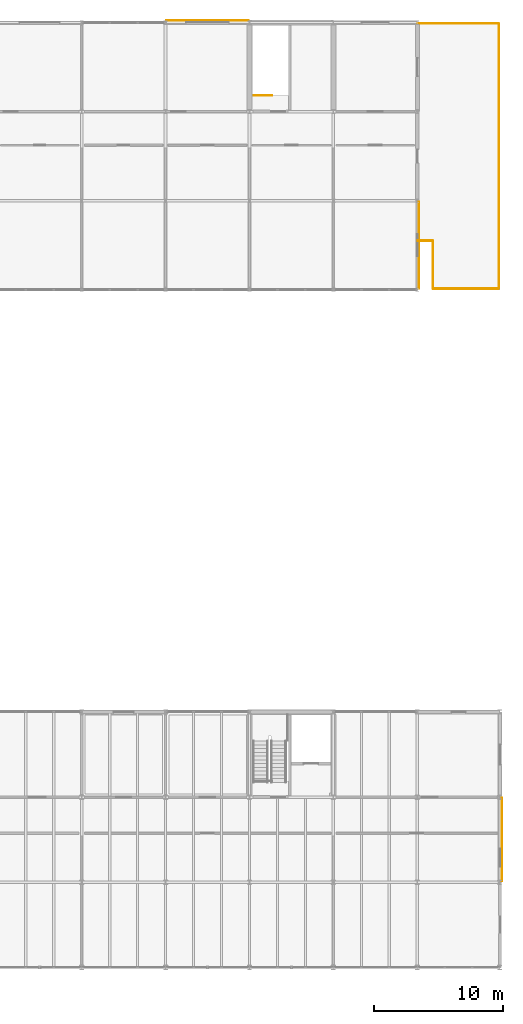
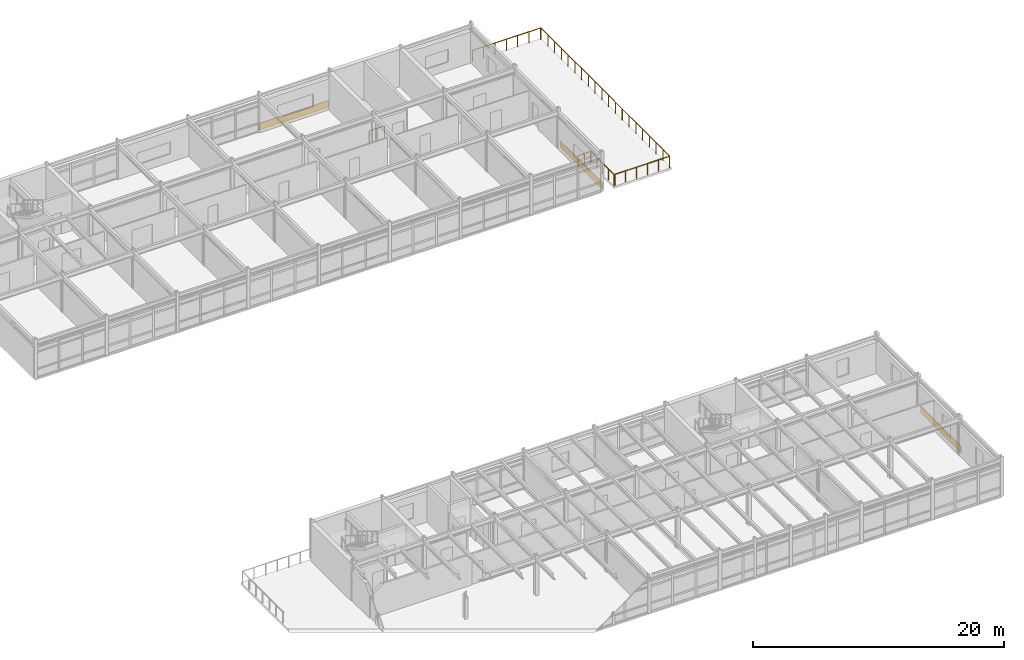
# One storey, part 57 of 57: 6 railings, 3 coverings.
"""IFC4 building model written with IfcOpenShell, lengths in metres."""

import ifcopenshell
import ifcopenshell.guid

model = None  # the IFC model being written
_history = None  # IfcOwnerHistory: only IFC2X3 demands one
_inside = {}  # id of a spatial element -> (the spatial element, [elements in it])
_under = {}  # id of a project, library or spatial element -> (it, [spatial elements below it])
_declared = {}  # id of a project -> (the project, [libraries it declares])
_typed = {}  # id of a type object -> (the type object, [elements of that type])
_made_of = {}  # id of a material, layer set ... -> (it, [elements and type objects made of it])


def new_model(schema):
    """Start an empty IFC model of exactly this schema.

    Asked for "IFC4X3", IfcOpenShell would pick the latest addendum, in which some entities
    have other attributes; the version numbers below select the first issue.
    IFC2X3 requires an IfcOwnerHistory on every rooted entity: one is made here for all.
    """
    global model, _history
    if schema == "IFC4X3":
        model = ifcopenshell.file(schema_version=(4, 3, 0, 0))
    else:
        model = ifcopenshell.file(schema=schema)
    _inside.clear()
    _under.clear()
    _declared.clear()
    _typed.clear()
    _made_of.clear()
    _history = None
    if model.schema == "IFC2X3":
        org = make("IfcOrganization", Name="unknown")
        user = make(
            "IfcPersonAndOrganization",
            ThePerson=make("IfcPerson", FamilyName="unknown"),
            TheOrganization=org,
        )
        app = make(
            "IfcApplication",
            ApplicationDeveloper=org,
            Version="unknown",
            ApplicationFullName="unknown",
            ApplicationIdentifier="unknown",
        )
        _history = make(
            "IfcOwnerHistory",
            OwningUser=user,
            OwningApplication=app,
            ChangeAction="ADDED",
            CreationDate=0,
        )
    return model


def make(cls, **values):
    """One entity of the class cls with the attributes given. An attribute that is None is left unset."""
    return model.create_entity(
        cls, **{name: value for name, value in values.items() if value is not None}
    )


def rooted(cls, **values):
    """An entity with a GlobalId (a new one), such as an element, a storey or a relation."""
    return make(cls, GlobalId=ifcopenshell.guid.new(), OwnerHistory=_history, **values)


def si_unit(unit_type, name, prefix=None):
    """IfcSIUnit, for example si_unit("LENGTHUNIT", "METRE", prefix="MILLI")."""
    return make("IfcSIUnit", UnitType=unit_type, Prefix=prefix, Name=name)


def assignment(units):
    """IfcUnitAssignment: the units of a project."""
    return None if units is None else make("IfcUnitAssignment", Units=units)


def point(xyz):
    """IfcCartesianPoint."""
    return None if xyz is None else make("IfcCartesianPoint", Coordinates=xyz)


def direction(xyz):
    """IfcDirection."""
    return None if xyz is None else make("IfcDirection", DirectionRatios=xyz)


def frame(location, z_axis=None, x_axis=None):
    """IfcAxis2Placement3D, a coordinate frame: its origin and axes. An axis left out is left unset."""
    return make(
        "IfcAxis2Placement3D",
        Location=point(location),
        Axis=direction(z_axis),
        RefDirection=direction(x_axis),
    )


def frame_2d(location, x_axis=None):
    """IfcAxis2Placement2D, a coordinate frame in the plane: its origin and x axis."""
    return make(
        "IfcAxis2Placement2D", Location=point(location), RefDirection=direction(x_axis)
    )


def origin():
    """The frame at (0, 0, 0) with its axes left unset."""
    return frame((0.0, 0.0, 0.0))


def origin_2d():
    """The frame at (0, 0) in the plane with its x axis left unset."""
    return frame_2d((0.0, 0.0))


def place(relative_to, where):
    """IfcLocalPlacement: puts the frame where relative to a parent placement (None: the world)."""
    return make(
        "IfcLocalPlacement", PlacementRelTo=relative_to, RelativePlacement=where
    )


def context(
    kind, dimensions, precision=None, world=None, true_north=None, identifier=None
):
    """IfcGeometricRepresentationContext, for example the 3D "Model" context."""
    return make(
        "IfcGeometricRepresentationContext",
        ContextIdentifier=identifier,
        ContextType=kind,
        CoordinateSpaceDimension=dimensions,
        Precision=precision,
        WorldCoordinateSystem=world,
        TrueNorth=true_north,
    )


def subcontext(parent, identifier, kind, view, scale=None):
    """IfcGeometricRepresentationSubContext, for example "Body" below "Model"."""
    return make(
        "IfcGeometricRepresentationSubContext",
        ContextIdentifier=identifier,
        ContextType=kind,
        ParentContext=parent,
        TargetScale=scale,
        TargetView=view,
    )


def project(units=None, contexts=None):
    """IfcProject with its units and contexts."""
    return rooted(
        "IfcProject",
        Name="project",
        RepresentationContexts=contexts,
        UnitsInContext=assignment(units),
    )


def spatial(cls, under=None, at=None, **own):
    """A site, building, storey or space (cls), placed at a placement, below another one or the project."""
    s = rooted(cls, ObjectPlacement=at, **own)
    if under is not None:
        _under.setdefault(under.id(), (under, []))[1].append(s)
    return s


def profile(cls, at=None, kind="AREA", **sizes):
    """A parametric profile (cls). Its sizes go by their IFC names, for example OverallWidth=200.0."""
    return make(cls, ProfileType=kind, Position=at, **sizes)


def rectangle(**sizes):
    """IfcRectangleProfileDef."""
    return profile("IfcRectangleProfileDef", **sizes)


def circle(**sizes):
    """IfcCircleProfileDef."""
    return profile("IfcCircleProfileDef", **sizes)


def extrude(swept, where, along, depth):
    """IfcExtrudedAreaSolid: the profile swept, set in the frame where, extruded along a direction by depth."""
    return make(
        "IfcExtrudedAreaSolid",
        SweptArea=swept,
        Position=where,
        ExtrudedDirection=direction(along),
        Depth=depth,
    )


def shape(context_of_items, identifier, shape_type, items):
    """IfcShapeRepresentation: the items that make up one representation, for example the "Body"."""
    return make(
        "IfcShapeRepresentation",
        ContextOfItems=context_of_items,
        RepresentationIdentifier=identifier,
        RepresentationType=shape_type,
        Items=items,
    )


def material(Name=None, Category=None):
    """IfcMaterial."""
    return make("IfcMaterial", Name=Name, Category=Category)


def layer(
    of_material, thickness, ventilated=None, Name=None, Category=None, Priority=None
):
    """IfcMaterialLayer: one layer of a wall or slab, of a material (None: an air gap)."""
    return make(
        "IfcMaterialLayer",
        Material=of_material,
        LayerThickness=thickness,
        IsVentilated=ventilated,
        Name=Name,
        Category=Category,
        Priority=Priority,
    )


def layer_set(layers, Name=None):
    """IfcMaterialLayerSet."""
    return make("IfcMaterialLayerSet", MaterialLayers=layers, LayerSetName=Name)


def made_of(thing, what):
    """Note that an element or type object is made of a material, layer set ...; save() writes the relation."""
    if what is not None:
        _made_of.setdefault(what.id(), (what, []))[1].append(thing)
    return thing


def type_object(cls, material=None, **own):
    """A type object (cls), such as IfcWallType, which elements share."""
    return made_of(rooted(cls, **own), material)


def element(
    cls,
    number,
    at=None,
    inside=None,
    cuts=None,
    type_object=None,
    material=None,
    context=None,
    identifier="Body",
    shape_type=None,
    held_by="IfcProductDefinitionShape",
    body=None,
    shapes=None,
    **own,
):
    """One element of the class cls, such as IfcWall. Its Tag is "e" and its number.

    at: its placement. inside: the storey or other place that contains it. cuts: it is an
    opening in that element (IfcRelVoidsElement). A single representation is given by context,
    identifier, shape_type and body (its items); several are given by shapes. held_by: the class
    of the entity that holds the representations. save() writes the other relations.
    """
    e = rooted(cls, Tag="e%d" % number, ObjectPlacement=at, **own)
    if body is not None:
        shapes = [shape(context, identifier, shape_type, body)]
    if shapes is not None:
        e.Representation = make(held_by, Representations=shapes)
    if inside is not None:
        _inside.setdefault(inside.id(), (inside, []))[1].append(e)
    if cuts is not None:
        rooted(
            "IfcRelVoidsElement", RelatingBuildingElement=cuts, RelatedOpeningElement=e
        )
    if type_object is not None:
        _typed.setdefault(type_object.id(), (type_object, []))[1].append(e)
    return made_of(e, material)


def aggregate(whole, parts):
    """IfcRelAggregates: a whole, such as a stair, and the parts it consists of."""
    return rooted("IfcRelAggregates", RelatingObject=whole, RelatedObjects=parts)


def save(model, path):
    """Write the relations noted so far, then the file.

    IfcRelAggregates (storeys below a building ...), IfcRelContainedInSpatialStructure (elements
    in a storey), IfcRelDefinesByType, IfcRelAssociatesMaterial and IfcRelDeclares: one each for
    every whole, place, type object, material and project.
    """
    for whole, parts in _under.values():
        aggregate(whole, parts)
    for where, things in _inside.values():
        rooted(
            "IfcRelContainedInSpatialStructure",
            RelatedElements=things,
            RelatingStructure=where,
        )
    for kind, things in _typed.values():
        rooted("IfcRelDefinesByType", RelatedObjects=things, RelatingType=kind)
    for what, things in _made_of.values():
        rooted("IfcRelAssociatesMaterial", RelatedObjects=things, RelatingMaterial=what)
    for by, libraries in _declared.values():
        rooted("IfcRelDeclares", RelatingContext=by, RelatedDefinitions=libraries)
    model.write(path)


model = new_model("IFC4")

# Units and contexts
model_context = context("Model", 3, precision=1e-05, world=origin(), true_north=direction((0.0, 1.0)))
body_context = subcontext(model_context, "Body", "Model", "MODEL_VIEW")
ifc_project = project(units=[si_unit("LENGTHUNIT", "METRE"), si_unit("AREAUNIT", "SQUARE_METRE"), si_unit("VOLUMEUNIT", "CUBIC_METRE"), si_unit("PLANEANGLEUNIT", "RADIAN"), si_unit("MASSUNIT", "GRAM", prefix="KILO")], contexts=[model_context])

# Site, building, storey
site_placement = place(None, origin())
site = spatial("IfcSite", under=ifc_project, at=site_placement, CompositionType="ELEMENT")
building_placement = place(site_placement, origin())
building = spatial("IfcBuilding", under=site, at=building_placement, Name="Trelmorton Wharf Fire Station", CompositionType="ELEMENT")
storey_placement = place(building_placement, frame((0.0, 0.0, 13.5)))
storey = spatial("IfcBuildingStorey", under=building, at=storey_placement, Name="L03", CompositionType="ELEMENT", Elevation=13.5)

# Coverings
ifc_material_1 = material(Name="Architectural terracotta cladding", Category="masonry")
ifc_layer = layer(ifc_material_1, 0.044921875)
ifc_layer_set = layer_set([ifc_layer], Name="Architectural terracotta cladding")
covering_type = type_object("IfcCoveringType", Name="CV_CLAD_TER", PredefinedType="CLADDING", material=ifc_layer_set)
covering_1_placement = place(storey_placement, frame((162.56494140625, 17.699951171875, 0.0302734375), z_axis=(0.0, 0.0, 1.0), x_axis=(0.0, -1.0, 0.0)))
element("IfcCovering", 1, at=covering_1_placement, inside=storey, type_object=covering_type, Name="CV-TER-0016", PredefinedType="CLADDING", context=body_context, shape_type="SweptSolid", body=[
    extrude(rectangle(XDim=6.469970703125, YDim=0.044921875, at=origin_2d()), origin(), (0.0, 0.0, 1.0), 0.659912109375),
])
covering_2_placement = place(storey_placement, frame((139.75, 81.1650390625, 0.0302734375), z_axis=(0.0, 0.0, 1.0), x_axis=(1.0, 0.0, 0.0)))
element("IfcCovering", 2, at=covering_2_placement, inside=storey, type_object=covering_type, Name="CV-TER-0044", PredefinedType="CLADDING", context=body_context, shape_type="SweptSolid", body=[
    extrude(rectangle(XDim=6.3701171875, YDim=0.044921875, at=origin_2d()), origin(), (0.0, 0.0, 1.0), 0.659912109375),
])
covering_3_placement = place(storey_placement, frame((156.135009765625, 63.75, 0.0302734375), z_axis=(0.0, 0.0, 1.0), x_axis=(0.0, -1.0, 0.0)))
element("IfcCovering", 3, at=covering_3_placement, inside=storey, type_object=covering_type, Name="CV-TER-0045", PredefinedType="CLADDING", context=body_context, shape_type="SweptSolid", body=[
    extrude(rectangle(XDim=6.77001953125, YDim=0.044921875, at=origin_2d()), origin(), (0.0, 0.0, 1.0), 0.659912109375),
])

# Railings
ifc_material_2 = material(Name="Stainless steel 316 marine grade", Category="steel")
railing_type_1 = type_object("IfcRailingType", Name="RL_BAL_TERR", PredefinedType="BALUSTRADE", material=ifc_material_2)
railing_1_placement = place(storey_placement, frame((156.0400390625, 64.10009765625, 0.0)))
element("IfcRailing", 4, at=railing_1_placement, inside=storey, type_object=railing_type_1, Name="RL-DECK-L03-081", PredefinedType="BALUSTRADE", context=body_context, shape_type="SweptSolid", body=[
    extrude(circle(Radius=0.02392578125, at=origin_2d()), frame((0.0, 0.0, 1.09619140625), z_axis=(1.0, 0.0, 0.0), x_axis=(0.0, 1.0, 0.0)), (0.0, 0.0, 1.0), 1.139892578125),
    extrude(circle(Radius=0.02099609375, at=origin_2d()), origin(), (0.0, 0.0, 1.0), 1.072021484375),
    extrude(circle(Radius=0.02099609375, at=origin_2d()), frame((0.56982421875, 0.0, 0.0)), (0.0, 0.0, 1.0), 1.072021484375),
    extrude(circle(Radius=0.02099609375, at=origin_2d()), frame((1.139892578125, 0.0, 0.0)), (0.0, 0.0, 1.0), 1.072021484375),
])
railing_2_placement = place(storey_placement, frame((157.219970703125, 64.06005859375, 0.0)))
element("IfcRailing", 5, at=railing_2_placement, inside=storey, type_object=railing_type_1, Name="RL-DECK-L03-082", PredefinedType="BALUSTRADE", context=body_context, shape_type="SweptSolid", body=[
    extrude(circle(Radius=0.02392578125, at=origin_2d()), frame((0.0, 0.0, 1.09619140625), z_axis=(0.0, -1.0, 0.0), x_axis=(1.0, 0.0, 0.0)), (0.0, 0.0, 1.0), 3.64013671875),
    extrude(circle(Radius=0.02099609375, at=origin_2d()), origin(), (0.0, 0.0, 1.0), 1.072021484375),
    extrude(circle(Radius=0.02099609375, at=origin_2d()), frame((0.0, -0.91015625, 0.0)), (0.0, 0.0, 1.0), 1.072021484375),
    extrude(circle(Radius=0.02099609375, at=origin_2d()), frame((0.0, -1.820068359375, 0.0)), (0.0, 0.0, 1.0), 1.072021484375),
    extrude(circle(Radius=0.02099609375, at=origin_2d()), frame((0.0, -2.72998046875, 0.0)), (0.0, 0.0, 1.0), 1.072021484375),
    extrude(circle(Radius=0.02099609375, at=origin_2d()), frame((0.0, -3.64013671875, 0.0)), (0.0, 0.0, 1.0), 1.072021484375),
])
railing_3_placement = place(storey_placement, frame((157.260009765625, 60.3798828125, 0.0)))
element("IfcRailing", 6, at=railing_3_placement, inside=storey, type_object=railing_type_1, Name="RL-DECK-L03-083", PredefinedType="BALUSTRADE", context=body_context, shape_type="SweptSolid", body=[
    extrude(circle(Radius=0.02392578125, at=origin_2d()), frame((0.0, 0.0, 1.09619140625), z_axis=(1.0, 0.0, 0.0), x_axis=(0.0, 1.0, 0.0)), (0.0, 0.0, 1.0), 5.02001953125),
    extrude(circle(Radius=0.02099609375, at=origin_2d()), origin(), (0.0, 0.0, 1.0), 1.072021484375),
    extrude(circle(Radius=0.02099609375, at=origin_2d()), frame((1.00390625, 0.0, 0.0)), (0.0, 0.0, 1.0), 1.072021484375),
    extrude(circle(Radius=0.02099609375, at=origin_2d()), frame((2.008056640625, 0.0, 0.0)), (0.0, 0.0, 1.0), 1.072021484375),
    extrude(circle(Radius=0.02099609375, at=origin_2d()), frame((3.011962890625, 0.0, 0.0)), (0.0, 0.0, 1.0), 1.072021484375),
    extrude(circle(Radius=0.02099609375, at=origin_2d()), frame((4.01611328125, 0.0, 0.0)), (0.0, 0.0, 1.0), 1.072021484375),
    extrude(circle(Radius=0.02099609375, at=origin_2d()), frame((5.02001953125, 0.0, 0.0)), (0.0, 0.0, 1.0), 1.072021484375),
])
railing_4_placement = place(storey_placement, frame((162.320068359375, 60.419921875, 0.0)))
element("IfcRailing", 7, at=railing_4_placement, inside=storey, type_object=railing_type_1, Name="RL-DECK-L03-084", PredefinedType="BALUSTRADE", context=body_context, shape_type="SweptSolid", body=[
    extrude(circle(Radius=0.02392578125, at=origin_2d()), frame((0.0, 0.0, 1.09619140625), z_axis=(0.0, 1.0, 0.0), x_axis=(-1.0, 0.0, 0.0)), (0.0, 0.0, 1.0), 20.4599609375),
    extrude(circle(Radius=0.02099609375, at=origin_2d()), origin(), (0.0, 0.0, 1.0), 1.072021484375),
    extrude(circle(Radius=0.02099609375, at=origin_2d()), frame((0.0, 1.076904296875, 0.0)), (0.0, 0.0, 1.0), 1.072021484375),
    extrude(circle(Radius=0.02099609375, at=origin_2d()), frame((0.0, 2.153564453125, 0.0)), (0.0, 0.0, 1.0), 1.072021484375),
    extrude(circle(Radius=0.02099609375, at=origin_2d()), frame((0.0, 3.23046875, 0.0)), (0.0, 0.0, 1.0), 1.072021484375),
    extrude(circle(Radius=0.02099609375, at=origin_2d()), frame((0.0, 4.307373046875, 0.0)), (0.0, 0.0, 1.0), 1.072021484375),
    extrude(circle(Radius=0.02099609375, at=origin_2d()), frame((0.0, 5.38427734375, 0.0)), (0.0, 0.0, 1.0), 1.072021484375),
    extrude(circle(Radius=0.02099609375, at=origin_2d()), frame((0.0, 6.4609375, 0.0)), (0.0, 0.0, 1.0), 1.072021484375),
    extrude(circle(Radius=0.02099609375, at=origin_2d()), frame((0.0, 7.537841796875, 0.0)), (0.0, 0.0, 1.0), 1.072021484375),
    extrude(circle(Radius=0.02099609375, at=origin_2d()), frame((0.0, 8.61474609375, 0.0)), (0.0, 0.0, 1.0), 1.072021484375),
    extrude(circle(Radius=0.02099609375, at=origin_2d()), frame((0.0, 9.691650390625, 0.0)), (0.0, 0.0, 1.0), 1.072021484375),
    extrude(circle(Radius=0.02099609375, at=origin_2d()), frame((0.0, 10.768310546875, 0.0)), (0.0, 0.0, 1.0), 1.072021484375),
    extrude(circle(Radius=0.02099609375, at=origin_2d()), frame((0.0, 11.84521484375, 0.0)), (0.0, 0.0, 1.0), 1.072021484375),
    extrude(circle(Radius=0.02099609375, at=origin_2d()), frame((0.0, 12.922119140625, 0.0)), (0.0, 0.0, 1.0), 1.072021484375),
    extrude(circle(Radius=0.02099609375, at=origin_2d()), frame((0.0, 13.9990234375, 0.0)), (0.0, 0.0, 1.0), 1.072021484375),
    extrude(circle(Radius=0.02099609375, at=origin_2d()), frame((0.0, 15.07568359375, 0.0)), (0.0, 0.0, 1.0), 1.072021484375),
    extrude(circle(Radius=0.02099609375, at=origin_2d()), frame((0.0, 16.152587890625, 0.0)), (0.0, 0.0, 1.0), 1.072021484375),
    extrude(circle(Radius=0.02099609375, at=origin_2d()), frame((0.0, 17.2294921875, 0.0)), (0.0, 0.0, 1.0), 1.072021484375),
    extrude(circle(Radius=0.02099609375, at=origin_2d()), frame((0.0, 18.306396484375, 0.0)), (0.0, 0.0, 1.0), 1.072021484375),
    extrude(circle(Radius=0.02099609375, at=origin_2d()), frame((0.0, 19.383056640625, 0.0)), (0.0, 0.0, 1.0), 1.072021484375),
    extrude(circle(Radius=0.02099609375, at=origin_2d()), frame((0.0, 20.4599609375, 0.0)), (0.0, 0.0, 1.0), 1.072021484375),
])
railing_5_placement = place(storey_placement, frame((162.280029296875, 80.919921875, 0.0)))
element("IfcRailing", 8, at=railing_5_placement, inside=storey, type_object=railing_type_1, Name="RL-DECK-L03-085", PredefinedType="BALUSTRADE", context=body_context, shape_type="SweptSolid", body=[
    extrude(circle(Radius=0.02392578125, at=origin_2d()), frame((0.0, 0.0, 1.09619140625), z_axis=(-1.0, 0.0, 0.0), x_axis=(0.0, -1.0, 0.0)), (0.0, 0.0, 1.0), 6.239990234375),
    extrude(circle(Radius=0.02099609375, at=origin_2d()), origin(), (0.0, 0.0, 1.0), 1.072021484375),
    extrude(circle(Radius=0.02099609375, at=origin_2d()), frame((-1.0400390625, 0.0, 0.0)), (0.0, 0.0, 1.0), 1.072021484375),
    extrude(circle(Radius=0.02099609375, at=origin_2d()), frame((-2.080078125, 0.0, 0.0)), (0.0, 0.0, 1.0), 1.072021484375),
    extrude(circle(Radius=0.02099609375, at=origin_2d()), frame((-3.1201171875, 0.0, 0.0)), (0.0, 0.0, 1.0), 1.072021484375),
    extrude(circle(Radius=0.02099609375, at=origin_2d()), frame((-4.159912109375, 0.0, 0.0)), (0.0, 0.0, 1.0), 1.072021484375),
    extrude(circle(Radius=0.02099609375, at=origin_2d()), frame((-5.199951171875, 0.0, 0.0)), (0.0, 0.0, 1.0), 1.072021484375),
    extrude(circle(Radius=0.02099609375, at=origin_2d()), frame((-6.239990234375, 0.0, 0.0)), (0.0, 0.0, 1.0), 1.072021484375),
])
railing_type_2 = type_object("IfcRailingType", Name="RL_WELL_1100", PredefinedType="BALUSTRADE", material=ifc_material_2)
railing_6_placement = place(storey_placement, frame((143.360107421875, 75.360107421875, 0.0)))
element("IfcRailing", 9, at=railing_6_placement, inside=storey, type_object=railing_type_2, Name="RL-UPWELL-STR-C8-L02-39", PredefinedType="BALUSTRADE", context=body_context, shape_type="SweptSolid", body=[
    extrude(circle(Radius=0.02392578125, at=origin_2d()), frame((0.0, 0.0, 1.09619140625), z_axis=(1.0, 0.0, 0.0), x_axis=(0.0, 1.0, 0.0)), (0.0, 0.0, 1.0), 1.3798828125),
    extrude(circle(Radius=0.02099609375, at=origin_2d()), origin(), (0.0, 0.0, 1.0), 1.072021484375),
    extrude(circle(Radius=0.02099609375, at=origin_2d()), frame((0.68994140625, 0.0, 0.0)), (0.0, 0.0, 1.0), 1.072021484375),
    extrude(circle(Radius=0.02099609375, at=origin_2d()), frame((1.3798828125, 0.0, 0.0)), (0.0, 0.0, 1.0), 1.072021484375),
])

save(model, "model.ifc")
